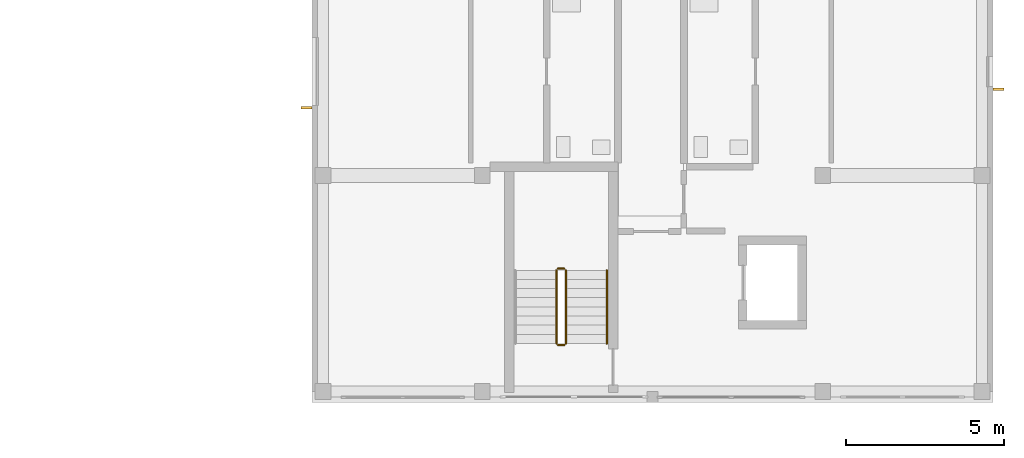
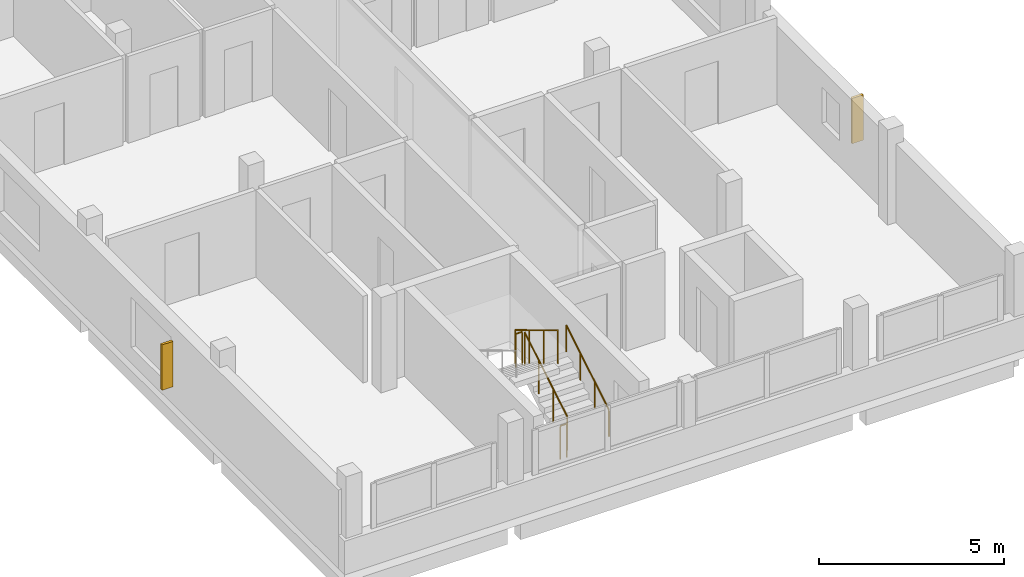
# One storey, part 26 of 29: 5 railings, 2 shading devices.
"""IFC4 building model written with IfcOpenShell, lengths in metres."""

from ifc_helpers import new_model, si_unit, derived_unit, direction, frame, origin, origin_2d, place, context, subcontext, project, spatial, rectangle, circle, extrude, material, type_object, element, save


model = new_model("IFC4")

# Units and contexts
model_context = context("Model", 3, precision=1e-05, world=origin(), true_north=direction((0.0, 1.0)))
body_context = subcontext(model_context, "Body", "Model", "MODEL_VIEW")
ifc_project = project(units=[si_unit("LENGTHUNIT", "METRE"), si_unit("AREAUNIT", "SQUARE_METRE"), si_unit("VOLUMEUNIT", "CUBIC_METRE"), si_unit("PLANEANGLEUNIT", "RADIAN"), si_unit("MASSUNIT", "GRAM", prefix="KILO"), derived_unit("THERMALTRANSMITTANCEUNIT", [(si_unit("MASSUNIT", "GRAM", prefix="KILO"), 1), (si_unit("TIMEUNIT", "SECOND"), -3), (si_unit("THERMODYNAMICTEMPERATUREUNIT", "KELVIN"), -1)])], contexts=[model_context])

# Site, building, storey
site_placement = place(None, origin())
site = spatial("IfcSite", under=ifc_project, at=site_placement, CompositionType="ELEMENT")
building_placement = place(site_placement, origin())
building = spatial("IfcBuilding", under=site, at=building_placement, Name="Ochrekiln Boulevard Commons", CompositionType="ELEMENT")
storey_placement = place(building_placement, frame((0.0, 0.0, 37.27490234375)))
storey = spatial("IfcBuildingStorey", under=building, at=storey_placement, Name="L11", CompositionType="ELEMENT", Elevation=37.27490234375)

# Railings
ifc_material_1 = material(Name="Brushed stainless steel 316 tubular railing", Category="steel")
railing_type_1 = type_object("IfcRailingType", Name="RLG-HDR-900", PredefinedType="HANDRAIL", material=ifc_material_1)
railing_1_placement = place(storey_placement, frame((160.550048828125, 70.27001953125, 0.175048828125)))
element("IfcRailing", 1, at=railing_1_placement, inside=storey, type_object=railing_type_1, Name="L11 ST-B1 stair handrail 1", PredefinedType="HANDRAIL", context=body_context, shape_type="SweptSolid", body=[
    extrude(circle(Radius=0.02392578125, at=origin_2d()), frame((0.0, 0.0, 0.8759765625), z_axis=(0.0, 0.856170481923, 0.516693435108), x_axis=(-1.0, 0.0, 0.0)), (0.0, 0.0, 1.0), 2.709716796875),
    extrude(circle(Radius=0.02099609375, at=origin_2d()), origin(), (0.0, 0.0, 1.0), 0.851806640625),
    extrude(circle(Radius=0.02099609375, at=origin_2d()), frame((0.0, 0.7734375, 0.466796875)), (0.0, 0.0, 1.0), 0.851806640625),
    extrude(circle(Radius=0.02099609375, at=origin_2d()), frame((0.0, 1.546630859375, 0.933349609375)), (0.0, 0.0, 1.0), 0.851806640625),
    extrude(circle(Radius=0.02099609375, at=origin_2d()), frame((0.0, 2.320068359375, 1.400146484375)), (0.0, 0.0, 1.0), 0.851806640625),
])
railing_type_2 = type_object("IfcRailingType", Name="RLG-STR-1120", PredefinedType="BALUSTRADE", material=ifc_material_1)
railing_2_placement = place(storey_placement, frame((159.25, 70.27001953125, 0.175048828125)))
element("IfcRailing", 2, at=railing_2_placement, inside=storey, type_object=railing_type_2, Name="L11 ST-B1 stair guard 1", PredefinedType="BALUSTRADE", context=body_context, shape_type="SweptSolid", body=[
    extrude(circle(Radius=0.02392578125, at=origin_2d()), frame((0.0, 0.0, 1.09619140625), z_axis=(0.0, 0.856170481923, 0.516693435108), x_axis=(-1.0, 0.0, 0.0)), (0.0, 0.0, 1.0), 2.709716796875),
    extrude(circle(Radius=0.02099609375, at=origin_2d()), origin(), (0.0, 0.0, 1.0), 1.072021484375),
    extrude(circle(Radius=0.02099609375, at=origin_2d()), frame((0.0, 0.7734375, 0.466796875)), (0.0, 0.0, 1.0), 1.072021484375),
    extrude(circle(Radius=0.02099609375, at=origin_2d()), frame((0.0, 1.546630859375, 0.933349609375)), (0.0, 0.0, 1.0), 1.072021484375),
    extrude(circle(Radius=0.02099609375, at=origin_2d()), frame((0.0, 2.320068359375, 1.400146484375)), (0.0, 0.0, 1.0), 1.072021484375),
])
railing_3_placement = place(storey_placement, frame((159.199951171875, 72.639892578125, 1.5751953125)))
element("IfcRailing", 3, at=railing_3_placement, inside=storey, type_object=railing_type_2, Name="L11 ST-B1 stair guard 2", PredefinedType="BALUSTRADE", context=body_context, shape_type="SweptSolid", body=[
    extrude(circle(Radius=0.02392578125, at=origin_2d()), frame((0.0, 0.0, 1.09619140625), z_axis=(-1.0, 0.0, 0.0), x_axis=(0.0, -1.0, 0.0)), (0.0, 0.0, 1.0), 0.199951171875),
    extrude(circle(Radius=0.02099609375, at=origin_2d()), origin(), (0.0, 0.0, 1.0), 1.072021484375),
    extrude(circle(Radius=0.02099609375, at=origin_2d()), frame((-0.199951171875, 0.0, 0.0)), (0.0, 0.0, 1.0), 1.072021484375),
])
railing_4_placement = place(storey_placement, frame((158.949951171875, 72.590087890625, 1.75)))
element("IfcRailing", 4, at=railing_4_placement, inside=storey, type_object=railing_type_2, Name="L11 ST-B1 stair guard 3", PredefinedType="BALUSTRADE", context=body_context, shape_type="SweptSolid", body=[
    extrude(circle(Radius=0.02392578125, at=origin_2d()), frame((0.0, 0.0, 1.09619140625), z_axis=(0.0, -0.856170481923, 0.516693435108), x_axis=(1.0, 0.0, 0.0)), (0.0, 0.0, 1.0), 2.709716796875),
    extrude(circle(Radius=0.02099609375, at=origin_2d()), origin(), (0.0, 0.0, 1.0), 1.072021484375),
    extrude(circle(Radius=0.02099609375, at=origin_2d()), frame((0.0, -0.7734375, 0.466796875)), (0.0, 0.0, 1.0), 1.072021484375),
    extrude(circle(Radius=0.02099609375, at=origin_2d()), frame((0.0, -1.546630859375, 0.933349609375)), (0.0, 0.0, 1.0), 1.072021484375),
    extrude(circle(Radius=0.02099609375, at=origin_2d()), frame((0.0, -2.320068359375, 1.400146484375)), (0.0, 0.0, 1.0), 1.072021484375),
])
railing_5_placement = place(storey_placement, frame((159.199951171875, 70.219970703125, 0.0)))
element("IfcRailing", 5, at=railing_5_placement, inside=storey, type_object=railing_type_2, Name="L11 ST-B1 stair guard 4", PredefinedType="BALUSTRADE", context=body_context, shape_type="SweptSolid", body=[
    extrude(circle(Radius=0.02392578125, at=origin_2d()), frame((0.0, 0.0, 1.09619140625), z_axis=(-1.0, 0.0, 0.0), x_axis=(0.0, -1.0, 0.0)), (0.0, 0.0, 1.0), 0.199951171875),
    extrude(circle(Radius=0.02099609375, at=origin_2d()), origin(), (0.0, 0.0, 1.0), 1.072021484375),
    extrude(circle(Radius=0.02099609375, at=origin_2d()), frame((-0.199951171875, 0.0, 0.0)), (0.0, 0.0, 1.0), 1.072021484375),
])

# Shading devices
ifc_material_2 = material(Name="Glazed architectural terracotta ASTM C1405", Category="masonry")
shading_device_type = type_object("IfcShadingDeviceType", Name="SHD-FIN-TERRA", PredefinedType="JALOUSIE", material=ifc_material_2)
for number, where, z_axis, x_axis, name in (
    (6, (151.030029296875, 77.738037109375, 0.590087890625), (0.0, 0.0, 1.0), (1.0, 0.0, 0.0), "Terracotta Solar Shading Fin SF-01 (49)"),
    (7, (172.969970703125, 78.337890625, 0.7001953125), (0.0, 0.0, 1.0), (1.0, 0.0, 0.0), "Terracotta Solar Shading Fin SF-01 (50)"),
):
    element("IfcShadingDevice", number, at=place(storey_placement, frame(where, z_axis=z_axis, x_axis=x_axis)), inside=storey, type_object=shading_device_type, Name=name, PredefinedType="JALOUSIE", context=body_context, shape_type="SweptSolid", body=[
        extrude(rectangle(XDim=0.35009765625, YDim=0.080078125, at=origin_2d()), origin(), (0.0, 0.0, 1.0), 1.5),
    ])

save(model, "model.ifc")
